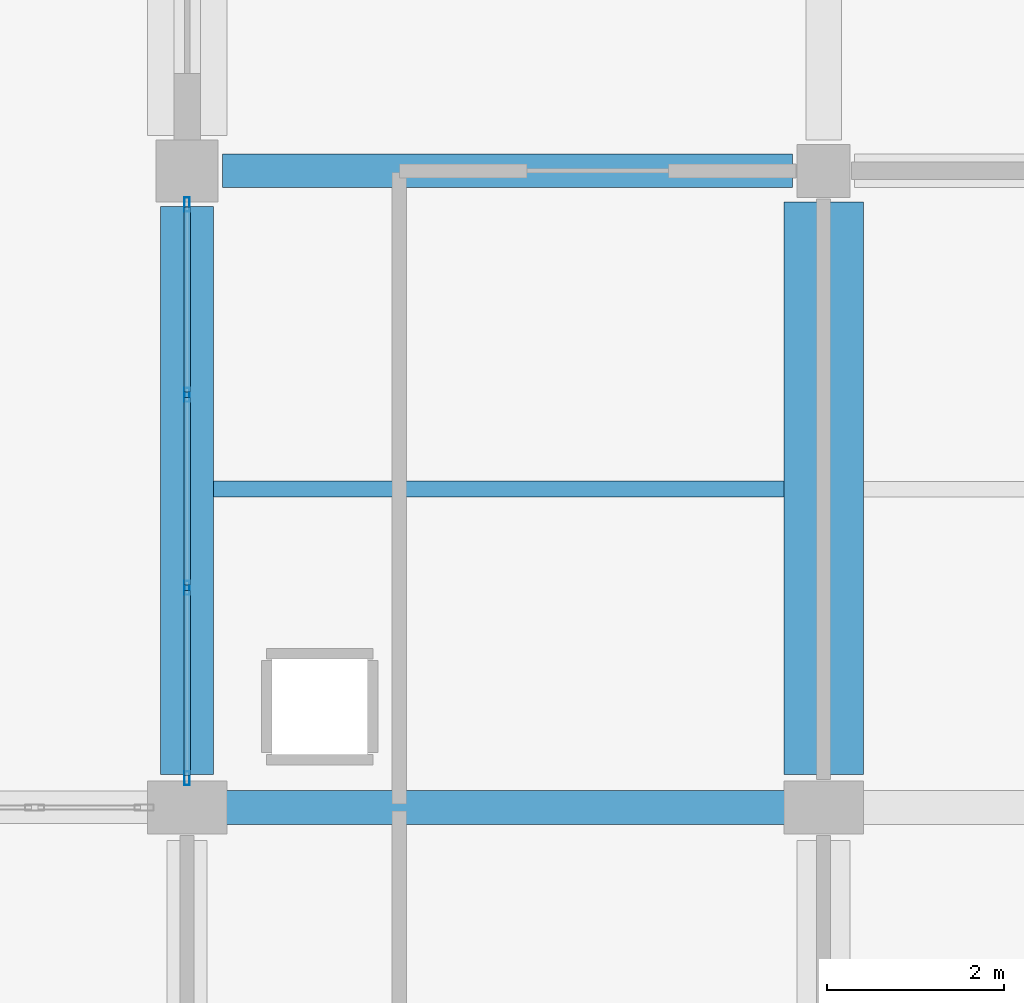
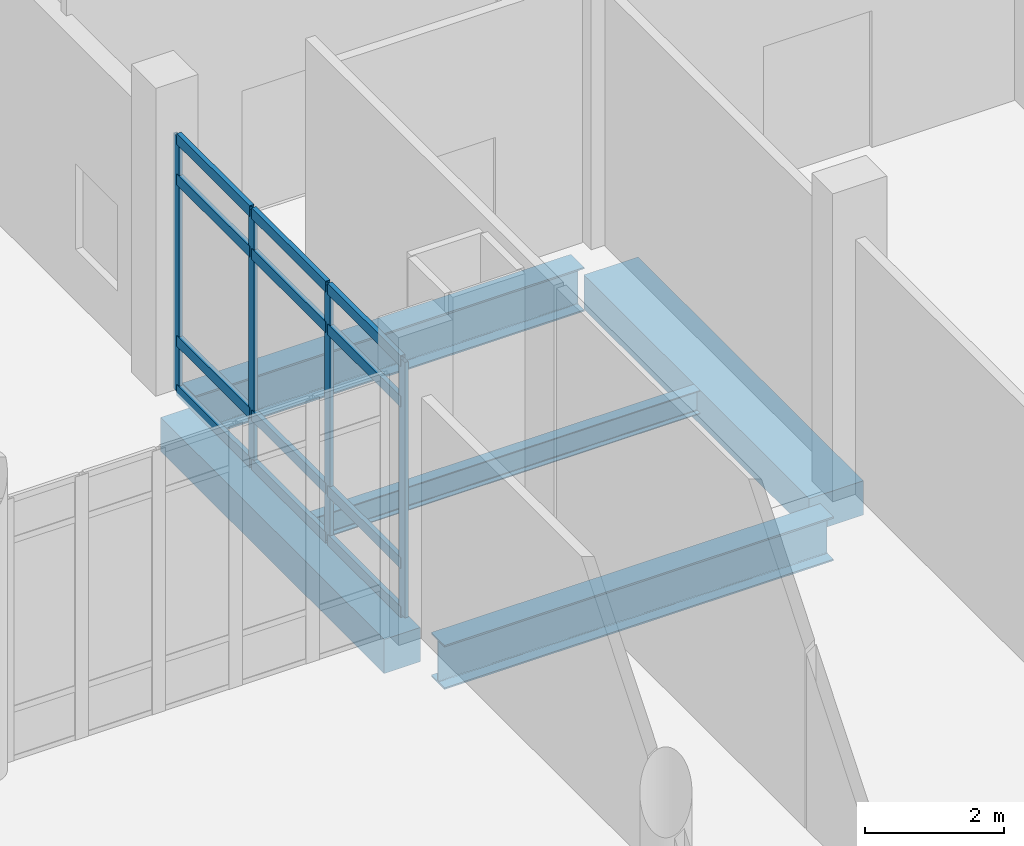
# One storey, part 133 of 229: 16 members, 5 beams, 1 element without a shape of its own.
"""IFC4 building model written with IfcOpenShell, lengths in metres."""

from ifc_helpers import new_model, si_unit, direction, frame, origin, origin_2d, place, context, subcontext, project, spatial, rectangle, hollow_rectangle, i_section, extrude, material, layer, layer_set, material_profile, profile_set, type_object, element, aggregate, save


model = new_model("IFC4")

# Units and contexts
model_context = context("Model", 3, precision=1e-05, world=origin(), true_north=direction((0.0, 1.0)))
body_context = subcontext(model_context, "Body", "Model", "MODEL_VIEW")
ifc_project = project(units=[si_unit("LENGTHUNIT", "METRE"), si_unit("AREAUNIT", "SQUARE_METRE"), si_unit("VOLUMEUNIT", "CUBIC_METRE"), si_unit("PLANEANGLEUNIT", "RADIAN"), si_unit("MASSUNIT", "GRAM", prefix="KILO")], contexts=[model_context])

# Site, building, storey
site_placement = place(None, origin())
site = spatial("IfcSite", under=ifc_project, at=site_placement, CompositionType="ELEMENT")
building_placement = place(site_placement, origin())
building = spatial("IfcBuilding", under=site, at=building_placement, Name="Calvrana Isthmian Art Gallery", CompositionType="ELEMENT")
storey_placement = place(building_placement, origin())
storey = spatial("IfcBuildingStorey", under=building, at=storey_placement, Name="L00", CompositionType="ELEMENT", Elevation=0.0)

# Beams
ifc_material_1 = material(Name="Steel ASTM A992 Gr 50", Category="steel")
ifc_material_profile_1 = material_profile(ifc_material_1, i_section(OverallWidth=0.381103515625, OverallDepth=0.77197265625, WebThickness=0.0166015625, FlangeThickness=0.027099609375, FilletRadius=0.02490234375, at=origin_2d()), Name="W30X173")
ifc_profile_set_1 = profile_set([ifc_material_profile_1], Name="Steel ASTM A992 Gr 50")
beam_type_1 = type_object("IfcBeamType", Name="BM-G-W30X173", PredefinedType="BEAM", material=ifc_profile_set_1)
beam_1_placement = place(storey_placement, frame((134.77490234375, 98.39990234375, -0.740966796875), z_axis=(1.0, 0.0, 0.0), x_axis=(0.0, 1.0, 0.0)))
element("IfcBeam", 1, at=beam_1_placement, inside=storey, type_object=beam_type_1, Name="Girder X L00 18-19/N", PredefinedType="BEAM", context=body_context, shape_type="SweptSolid", body=[
    extrude(i_section(OverallWidth=0.381103515625, OverallDepth=0.77197265625, WebThickness=0.0166015625, FlangeThickness=0.027099609375, FilletRadius=0.02490234375, at=origin_2d()), origin(), (0.0, 0.0, 1.0), 6.4501953125),
])
beam_2_placement = place(storey_placement, frame((134.800048828125, 105.60009765625, -0.740966796875), z_axis=(1.0, 0.0, 0.0), x_axis=(0.0, 1.0, 0.0)))
element("IfcBeam", 2, at=beam_2_placement, inside=storey, type_object=beam_type_1, Name="Girder X L00 18-19/O", PredefinedType="BEAM", context=body_context, shape_type="SweptSolid", body=[
    extrude(i_section(OverallWidth=0.381103515625, OverallDepth=0.77197265625, WebThickness=0.0166015625, FlangeThickness=0.027099609375, FilletRadius=0.02490234375, at=origin_2d()), origin(), (0.0, 0.0, 1.0), 6.449951171875),
])
ifc_material_profile_2 = material_profile(ifc_material_1, i_section(OverallWidth=0.179931640625, OverallDepth=0.4140625, WebThickness=0.009765625, FlangeThickness=0.01611328125, FilletRadius=0.01806640625, at=origin_2d()), Name="W16X50")
ifc_profile_set_2 = profile_set([ifc_material_profile_2], Name="Steel ASTM A992 Gr 50")
beam_type_2 = type_object("IfcBeamType", Name="BM-J-W16X50", PredefinedType="JOIST", material=ifc_profile_set_2)
beam_3_placement = place(storey_placement, frame((134.699951171875, 102.0, -0.56201171875), z_axis=(1.0, 0.0, 0.0), x_axis=(0.0, 1.0, 0.0)))
element("IfcBeam", 3, at=beam_3_placement, inside=storey, type_object=beam_type_2, Name="Composite joist L00 bay 17-13", PredefinedType="JOIST", context=body_context, shape_type="SweptSolid", body=[
    extrude(i_section(OverallWidth=0.179931640625, OverallDepth=0.4140625, WebThickness=0.009765625, FlangeThickness=0.01611328125, FilletRadius=0.01806640625, at=origin_2d()), origin(), (0.0, 0.0, 1.0), 6.449951171875),
])
ifc_material_2 = material(Name="Concrete C40/50", Category="concrete")
ifc_material_profile_3 = material_profile(ifc_material_2, rectangle(XDim=0.60009765625, YDim=0.60009765625, at=origin_2d()), Name="RC600X600")
ifc_profile_set_3 = profile_set([ifc_material_profile_3], Name="Concrete C40/50")
beam_type_3 = type_object("IfcBeamType", Name="BM-RC-600X600", PredefinedType="BEAM", material=ifc_profile_set_3)
beam_4_placement = place(storey_placement, frame((134.39990234375, 98.77490234375, -0.655029296875), z_axis=(0.0, 1.0, 0.0), x_axis=(-1.0, 0.0, 0.0)))
element("IfcBeam", 4, at=beam_4_placement, inside=storey, type_object=beam_type_3, Name="Girder Y L00 18/N-O", PredefinedType="BEAM", context=body_context, shape_type="SweptSolid", body=[
    extrude(rectangle(XDim=0.60009765625, YDim=0.60009765625, at=origin_2d()), origin(), (0.0, 0.0, 1.0), 6.425048828125),
])
ifc_material_profile_4 = material_profile(ifc_material_2, rectangle(XDim=0.89990234375, YDim=0.60009765625, at=origin_2d()), Name="RC900X600")
ifc_profile_set_4 = profile_set([ifc_material_profile_4], Name="Concrete C40/50")
beam_type_4 = type_object("IfcBeamType", Name="BM-RC-900X600", PredefinedType="BEAM", material=ifc_profile_set_4)
beam_5_placement = place(storey_placement, frame((141.60009765625, 98.77490234375, -0.655029296875), z_axis=(0.0, 1.0, 0.0), x_axis=(-1.0, 0.0, 0.0)))
element("IfcBeam", 5, at=beam_5_placement, inside=storey, type_object=beam_type_4, Name="Girder Y L00 19/N-O", PredefinedType="BEAM", context=body_context, shape_type="SweptSolid", body=[
    extrude(rectangle(XDim=0.89990234375, YDim=0.60009765625, at=origin_2d()), origin(), (0.0, 0.0, 1.0), 6.47509765625),
])

# Curtain wall, members
ifc_material_3 = material(Name="Anodized bronze aluminium 6063-T6", Category="aluminium")
ifc_layer = layer(ifc_material_3, 0.179931640625, Name="Anodized bronze aluminium 6063-T6")
ifc_layer_set = layer_set([ifc_layer], Name="Anodized bronze aluminium 6063-T6")
curtain_wall_type = type_object("IfcCurtainWallType", Name="CW-UNIT-065X45", PredefinedType="USERDEFINED", material=ifc_layer_set)
curtain_wall_placement = place(storey_placement, origin())
curtain_wall = element("IfcCurtainWall", 6, at=curtain_wall_placement, inside=storey, type_object=curtain_wall_type, Name="Curtain wall CW-079", ObjectType="UNITISED CURTAIN WALL", PredefinedType="USERDEFINED")
ifc_material_profile_5 = material_profile(ifc_material_3, hollow_rectangle(XDim=0.06005859375, YDim=0.159912109375, WallThickness=0.00390625, at=origin_2d()), Name="CWM60X160")
ifc_profile_set_5 = profile_set([ifc_material_profile_5], Name="Anodized bronze aluminium 6063-T6")
member_type_1 = type_object("IfcMemberType", Name="CWM-CWM60X160", PredefinedType="MULLION", material=ifc_profile_set_5)
member_1_placement = place(storey_placement, frame((134.39990234375, 98.72998046875, 0.0), z_axis=(0.0, 0.0, 1.0), x_axis=(-1.0, 0.0, 0.0)))
member_1 = element("IfcMember", 7, at=member_1_placement, type_object=member_type_1, Name="CW-079 mullion 1", PredefinedType="MULLION", context=body_context, shape_type="SweptSolid", body=[
    extrude(hollow_rectangle(XDim=0.06005859375, YDim=0.159912109375, WallThickness=0.00390625, at=origin_2d()), origin(), (0.0, 0.0, 1.0), 4.47998046875),
])
member_2_placement = place(storey_placement, frame((134.39990234375, 100.88330078125, 0.0), z_axis=(0.0, 0.0, 1.0), x_axis=(-1.0, 0.0, 0.0)))
member_2 = element("IfcMember", 8, at=member_2_placement, type_object=member_type_1, Name="CW-079 mullion 2", PredefinedType="MULLION", context=body_context, shape_type="SweptSolid", body=[
    extrude(hollow_rectangle(XDim=0.06005859375, YDim=0.159912109375, WallThickness=0.00390625, at=origin_2d()), origin(), (0.0, 0.0, 1.0), 4.47998046875),
])
member_3_placement = place(storey_placement, frame((134.39990234375, 103.066650390625, 0.0), z_axis=(0.0, 0.0, 1.0), x_axis=(-1.0, 0.0, 0.0)))
member_3 = element("IfcMember", 9, at=member_3_placement, type_object=member_type_1, Name="CW-079 mullion 3", PredefinedType="MULLION", context=body_context, shape_type="SweptSolid", body=[
    extrude(hollow_rectangle(XDim=0.06005859375, YDim=0.159912109375, WallThickness=0.00390625, at=origin_2d()), origin(), (0.0, 0.0, 1.0), 4.47998046875),
])
member_4_placement = place(storey_placement, frame((134.39990234375, 105.219970703125, 0.0), z_axis=(0.0, 0.0, 1.0), x_axis=(-1.0, 0.0, 0.0)))
member_4 = element("IfcMember", 10, at=member_4_placement, type_object=member_type_1, Name="CW-079 mullion 4", PredefinedType="MULLION", context=body_context, shape_type="SweptSolid", body=[
    extrude(hollow_rectangle(XDim=0.06005859375, YDim=0.159912109375, WallThickness=0.00390625, at=origin_2d()), origin(), (0.0, 0.0, 1.0), 4.47998046875),
])
ifc_material_profile_6 = material_profile(ifc_material_3, hollow_rectangle(XDim=0.074951171875, YDim=0.18994140625, WallThickness=0.00439453125, at=origin_2d()), Name="CWT75X190")
ifc_profile_set_6 = profile_set([ifc_material_profile_6], Name="Anodized bronze aluminium 6063-T6")
member_type_2 = type_object("IfcMemberType", Name="CWT-CWT75X190", PredefinedType="USERDEFINED", material=ifc_profile_set_6)
member_5_placement = place(storey_placement, frame((134.39990234375, 98.760009765625, 0.03759765625), z_axis=(0.0, 1.0, 0.0), x_axis=(-1.0, 0.0, 0.0)))
member_5 = element("IfcMember", 11, at=member_5_placement, type_object=member_type_2, Name="CW-079 transom 1.1", ObjectType="TRANSOM", PredefinedType="USERDEFINED", context=body_context, shape_type="SweptSolid", body=[
    extrude(hollow_rectangle(XDim=0.074951171875, YDim=0.18994140625, WallThickness=0.00439453125, at=origin_2d()), origin(), (0.0, 0.0, 1.0), 2.09326171875),
])
member_6_placement = place(storey_placement, frame((134.39990234375, 98.760009765625, 0.89990234375), z_axis=(0.0, 1.0, 0.0), x_axis=(-1.0, 0.0, 0.0)))
member_6 = element("IfcMember", 12, at=member_6_placement, type_object=member_type_2, Name="CW-079 transom 1.2", ObjectType="TRANSOM", PredefinedType="USERDEFINED", context=body_context, shape_type="SweptSolid", body=[
    extrude(hollow_rectangle(XDim=0.074951171875, YDim=0.18994140625, WallThickness=0.00439453125, at=origin_2d()), origin(), (0.0, 0.0, 1.0), 2.09326171875),
])
member_7_placement = place(storey_placement, frame((134.39990234375, 98.760009765625, 3.72998046875), z_axis=(0.0, 1.0, 0.0), x_axis=(-1.0, 0.0, 0.0)))
member_7 = element("IfcMember", 13, at=member_7_placement, type_object=member_type_2, Name="CW-079 transom 1.3", ObjectType="TRANSOM", PredefinedType="USERDEFINED", context=body_context, shape_type="SweptSolid", body=[
    extrude(hollow_rectangle(XDim=0.074951171875, YDim=0.18994140625, WallThickness=0.00439453125, at=origin_2d()), origin(), (0.0, 0.0, 1.0), 2.09326171875),
])
member_8_placement = place(storey_placement, frame((134.39990234375, 98.760009765625, 4.4423828125), z_axis=(0.0, 1.0, 0.0), x_axis=(-1.0, 0.0, 0.0)))
member_8 = element("IfcMember", 14, at=member_8_placement, type_object=member_type_2, Name="CW-079 transom 1.4", ObjectType="TRANSOM", PredefinedType="USERDEFINED", context=body_context, shape_type="SweptSolid", body=[
    extrude(hollow_rectangle(XDim=0.074951171875, YDim=0.18994140625, WallThickness=0.00439453125, at=origin_2d()), origin(), (0.0, 0.0, 1.0), 2.09326171875),
])
member_9_placement = place(storey_placement, frame((134.39990234375, 100.913330078125, 0.03759765625), z_axis=(0.0, 1.0, 0.0), x_axis=(-1.0, 0.0, 0.0)))
member_9 = element("IfcMember", 15, at=member_9_placement, type_object=member_type_2, Name="CW-079 transom 2.1", ObjectType="TRANSOM", PredefinedType="USERDEFINED", context=body_context, shape_type="SweptSolid", body=[
    extrude(hollow_rectangle(XDim=0.074951171875, YDim=0.18994140625, WallThickness=0.00439453125, at=origin_2d()), origin(), (0.0, 0.0, 1.0), 2.123291015625),
])
member_10_placement = place(storey_placement, frame((134.39990234375, 100.913330078125, 0.89990234375), z_axis=(0.0, 1.0, 0.0), x_axis=(-1.0, 0.0, 0.0)))
member_10 = element("IfcMember", 16, at=member_10_placement, type_object=member_type_2, Name="CW-079 transom 2.2", ObjectType="TRANSOM", PredefinedType="USERDEFINED", context=body_context, shape_type="SweptSolid", body=[
    extrude(hollow_rectangle(XDim=0.074951171875, YDim=0.18994140625, WallThickness=0.00439453125, at=origin_2d()), origin(), (0.0, 0.0, 1.0), 2.123291015625),
])
member_11_placement = place(storey_placement, frame((134.39990234375, 100.913330078125, 3.72998046875), z_axis=(0.0, 1.0, 0.0), x_axis=(-1.0, 0.0, 0.0)))
member_11 = element("IfcMember", 17, at=member_11_placement, type_object=member_type_2, Name="CW-079 transom 2.3", ObjectType="TRANSOM", PredefinedType="USERDEFINED", context=body_context, shape_type="SweptSolid", body=[
    extrude(hollow_rectangle(XDim=0.074951171875, YDim=0.18994140625, WallThickness=0.00439453125, at=origin_2d()), origin(), (0.0, 0.0, 1.0), 2.123291015625),
])
member_12_placement = place(storey_placement, frame((134.39990234375, 100.913330078125, 4.4423828125), z_axis=(0.0, 1.0, 0.0), x_axis=(-1.0, 0.0, 0.0)))
member_12 = element("IfcMember", 18, at=member_12_placement, type_object=member_type_2, Name="CW-079 transom 2.4", ObjectType="TRANSOM", PredefinedType="USERDEFINED", context=body_context, shape_type="SweptSolid", body=[
    extrude(hollow_rectangle(XDim=0.074951171875, YDim=0.18994140625, WallThickness=0.00439453125, at=origin_2d()), origin(), (0.0, 0.0, 1.0), 2.123291015625),
])
member_13_placement = place(storey_placement, frame((134.39990234375, 103.0966796875, 0.03759765625), z_axis=(0.0, 1.0, 0.0), x_axis=(-1.0, 0.0, 0.0)))
member_13 = element("IfcMember", 19, at=member_13_placement, type_object=member_type_2, Name="CW-079 transom 3.1", ObjectType="TRANSOM", PredefinedType="USERDEFINED", context=body_context, shape_type="SweptSolid", body=[
    extrude(hollow_rectangle(XDim=0.074951171875, YDim=0.18994140625, WallThickness=0.00439453125, at=origin_2d()), origin(), (0.0, 0.0, 1.0), 2.09326171875),
])
member_14_placement = place(storey_placement, frame((134.39990234375, 103.0966796875, 0.89990234375), z_axis=(0.0, 1.0, 0.0), x_axis=(-1.0, 0.0, 0.0)))
member_14 = element("IfcMember", 20, at=member_14_placement, type_object=member_type_2, Name="CW-079 transom 3.2", ObjectType="TRANSOM", PredefinedType="USERDEFINED", context=body_context, shape_type="SweptSolid", body=[
    extrude(hollow_rectangle(XDim=0.074951171875, YDim=0.18994140625, WallThickness=0.00439453125, at=origin_2d()), origin(), (0.0, 0.0, 1.0), 2.09326171875),
])
member_15_placement = place(storey_placement, frame((134.39990234375, 103.0966796875, 3.72998046875), z_axis=(0.0, 1.0, 0.0), x_axis=(-1.0, 0.0, 0.0)))
member_15 = element("IfcMember", 21, at=member_15_placement, type_object=member_type_2, Name="CW-079 transom 3.3", ObjectType="TRANSOM", PredefinedType="USERDEFINED", context=body_context, shape_type="SweptSolid", body=[
    extrude(hollow_rectangle(XDim=0.074951171875, YDim=0.18994140625, WallThickness=0.00439453125, at=origin_2d()), origin(), (0.0, 0.0, 1.0), 2.09326171875),
])
member_16_placement = place(storey_placement, frame((134.39990234375, 103.0966796875, 4.4423828125), z_axis=(0.0, 1.0, 0.0), x_axis=(-1.0, 0.0, 0.0)))
member_16 = element("IfcMember", 22, at=member_16_placement, type_object=member_type_2, Name="CW-079 transom 3.4", ObjectType="TRANSOM", PredefinedType="USERDEFINED", context=body_context, shape_type="SweptSolid", body=[
    extrude(hollow_rectangle(XDim=0.074951171875, YDim=0.18994140625, WallThickness=0.00439453125, at=origin_2d()), origin(), (0.0, 0.0, 1.0), 2.09326171875),
])
aggregate(curtain_wall, [member_1, member_2, member_3, member_4, member_5, member_6, member_7, member_8, member_9, member_10, member_11, member_12, member_13, member_14, member_15, member_16])

save(model, "model.ifc")
